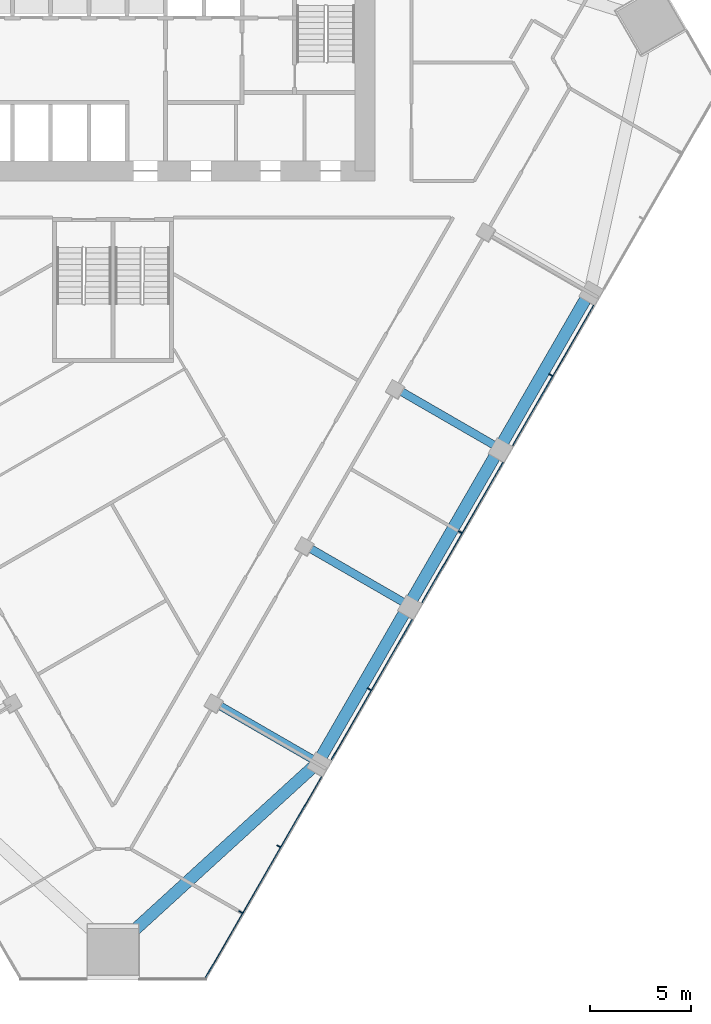
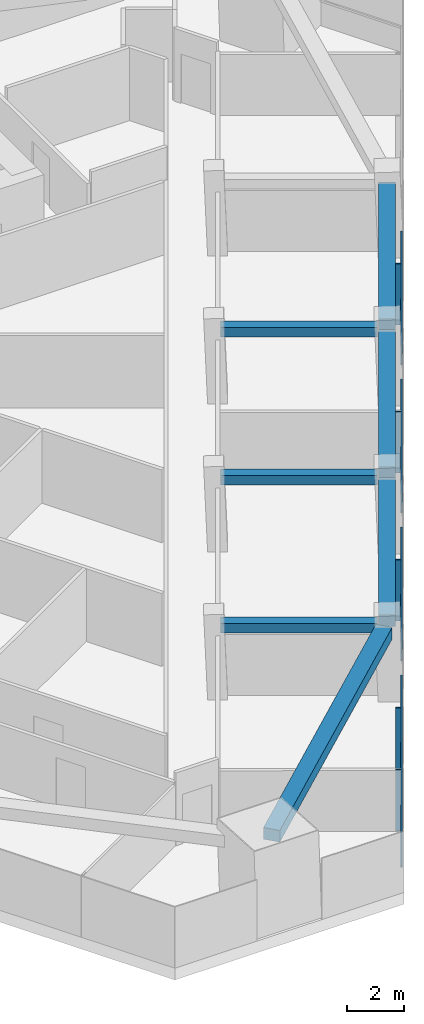
# One storey, part 4 of 14: 9 members, 7 beams, 1 element without a shape of its own.
"""IFC4 building model written with IfcOpenShell, lengths in metres."""

from ifc_helpers import new_model, si_unit, direction, frame, origin, origin_2d, place, context, subcontext, project, spatial, rectangle, extrude, material, layer, layer_set, material_profile, profile_set, type_object, element, aggregate, save


model = new_model("IFC4")

# Units and contexts
model_context = context("Model", 3, precision=1e-05, world=origin(), true_north=direction((0.0, 1.0)))
body_context = subcontext(model_context, "Body", "Model", "MODEL_VIEW")
ifc_project = project(units=[si_unit("LENGTHUNIT", "METRE"), si_unit("AREAUNIT", "SQUARE_METRE"), si_unit("VOLUMEUNIT", "CUBIC_METRE"), si_unit("PLANEANGLEUNIT", "RADIAN"), si_unit("MASSUNIT", "GRAM", prefix="KILO")], contexts=[model_context])

# Site, building, storey
site_placement = place(None, origin())
site = spatial("IfcSite", under=ifc_project, at=site_placement, CompositionType="ELEMENT")
building_placement = place(site_placement, origin())
building = spatial("IfcBuilding", under=site, at=building_placement, Name="Altiplano Prism Tower", CompositionType="ELEMENT")
storey_placement = place(building_placement, frame((0.0, 0.0, 63.0)))
storey = spatial("IfcBuildingStorey", under=building, at=storey_placement, Name="L15", CompositionType="ELEMENT", Elevation=63.0)

# Curtain wall, members
ifc_material_1 = material(Name="Aluminium and glass", Category="aluminium")
ifc_layer = layer(ifc_material_1, 0.303955078125)
ifc_layer_set = layer_set([ifc_layer], Name="Aluminium and glass")
curtain_wall_type = type_object("IfcCurtainWallType", Name="CW2 lounge-band unitised glazing", PredefinedType="NOTDEFINED", material=ifc_layer_set)
curtain_wall_placement = place(storey_placement, origin())
curtain_wall = element("IfcCurtainWall", 1, at=curtain_wall_placement, inside=storey, type_object=curtain_wall_type, Name="CW2 curtain wall south-east face L15", PredefinedType="NOTDEFINED")
ifc_material_2 = material(Name="Aluminium", Category="aluminium")
ifc_material_profile_1 = material_profile(ifc_material_2, rectangle(XDim=0.199951171875, YDim=0.06005859375, at=origin_2d()), Name="CW2 mullion 60 x 200")
ifc_profile_set_1 = profile_set([ifc_material_profile_1], Name="Aluminium")
member_type_1 = type_object("IfcMemberType", Name="CW2 mullion 60 x 200", PredefinedType="MULLION", material=ifc_profile_set_1)
member_1_placement = place(storey_placement, frame((91.32421875, 56.1328125, 0.0), z_axis=(0.0, 0.0, 1.0), x_axis=(-0.866025409928, 0.499999989359, 0.0)))
member_1 = element("IfcMember", 2, at=member_1_placement, type_object=member_type_1, Name="CW2 mullion", PredefinedType="MULLION", context=body_context, shape_type="SweptSolid", body=[
    extrude(rectangle(XDim=0.199951171875, YDim=0.06005859375, at=origin_2d()), origin(), (0.0, 0.0, 1.0), 2.60009765625),
])
member_2_placement = place(storey_placement, frame((93.2099609375, 59.39892578125, 0.0), z_axis=(0.0, 0.0, 1.0), x_axis=(-0.866025409928, 0.499999989359, 0.0)))
member_2 = element("IfcMember", 3, at=member_2_placement, type_object=member_type_1, Name="CW2 mullion", PredefinedType="MULLION", context=body_context, shape_type="SweptSolid", body=[
    extrude(rectangle(XDim=0.199951171875, YDim=0.06005859375, at=origin_2d()), origin(), (0.0, 0.0, 1.0), 2.60009765625),
])
member_3_placement = place(storey_placement, frame((97.7099609375, 67.193115234375, 0.0), z_axis=(0.0, 0.0, 1.0), x_axis=(-0.866025409928, 0.499999989359, 0.0)))
member_3 = element("IfcMember", 4, at=member_3_placement, type_object=member_type_1, Name="CW2 mullion", PredefinedType="MULLION", context=body_context, shape_type="SweptSolid", body=[
    extrude(rectangle(XDim=0.199951171875, YDim=0.06005859375, at=origin_2d()), origin(), (0.0, 0.0, 1.0), 2.60009765625),
])
member_4_placement = place(storey_placement, frame((102.2099609375, 74.987548828125, 0.0), z_axis=(0.0, 0.0, 1.0), x_axis=(-0.866025409928, 0.499999989359, 0.0)))
member_4 = element("IfcMember", 5, at=member_4_placement, type_object=member_type_1, Name="CW2 mullion", PredefinedType="MULLION", context=body_context, shape_type="SweptSolid", body=[
    extrude(rectangle(XDim=0.199951171875, YDim=0.06005859375, at=origin_2d()), origin(), (0.0, 0.0, 1.0), 2.60009765625),
])
member_5_placement = place(storey_placement, frame((106.7099609375, 82.78173828125, 0.0), z_axis=(0.0, 0.0, 1.0), x_axis=(-0.866025409928, 0.499999989359, 0.0)))
member_5 = element("IfcMember", 6, at=member_5_placement, type_object=member_type_1, Name="CW2 mullion", PredefinedType="MULLION", context=body_context, shape_type="SweptSolid", body=[
    extrude(rectangle(XDim=0.199951171875, YDim=0.06005859375, at=origin_2d()), origin(), (0.0, 0.0, 1.0), 2.60009765625),
])
ifc_material_profile_2 = material_profile(ifc_material_2, rectangle(XDim=0.06005859375, YDim=0.080078125, at=origin_2d()), Name="CW2 transom 80 x 60")
ifc_profile_set_2 = profile_set([ifc_material_profile_2], Name="Aluminium")
member_type_2 = type_object("IfcMemberType", Name="CW2 transom 80 x 60", PredefinedType="USERDEFINED", material=ifc_profile_set_2)
member_6_placement = place(storey_placement, frame((89.551025390625, 52.801513671875, 1.10009765625), z_axis=(0.499996518395, 0.86602741388, 0.0), x_axis=(-0.86602741388, 0.499996518395, 0.0)))
member_6 = element("IfcMember", 7, at=member_6_placement, type_object=member_type_2, Name="CW2 transom", ObjectType="TRANSOM", PredefinedType="USERDEFINED", context=body_context, shape_type="SweptSolid", body=[
    extrude(rectangle(XDim=0.06005859375, YDim=0.080078125, at=origin_2d()), origin(), (0.0, 0.0, 1.0), 11.59228515625),
])
member_7_placement = place(storey_placement, frame((95.83740234375, 63.689697265625, 1.10009765625), z_axis=(0.499989486807, 0.866031473494, 0.0), x_axis=(-0.866031473494, 0.499989486807, 0.0)))
member_7 = element("IfcMember", 8, at=member_7_placement, type_object=member_type_2, Name="CW2 transom", ObjectType="TRANSOM", PredefinedType="USERDEFINED", context=body_context, shape_type="SweptSolid", body=[
    extrude(rectangle(XDim=0.06005859375, YDim=0.080078125, at=origin_2d()), origin(), (0.0, 0.0, 1.0), 8.019775390625),
])
member_8_placement = place(storey_placement, frame((100.33740234375, 71.48388671875, 1.10009765625), z_axis=(0.499989486807, 0.866031473494, 0.0), x_axis=(-0.866031473494, 0.499989486807, 0.0)))
member_8 = element("IfcMember", 9, at=member_8_placement, type_object=member_type_2, Name="CW2 transom", ObjectType="TRANSOM", PredefinedType="USERDEFINED", context=body_context, shape_type="SweptSolid", body=[
    extrude(rectangle(XDim=0.06005859375, YDim=0.080078125, at=origin_2d()), origin(), (0.0, 0.0, 1.0), 8.019775390625),
])
member_9_placement = place(storey_placement, frame((104.83740234375, 79.278076171875, 1.10009765625), z_axis=(0.499989486807, 0.866031473494, 0.0), x_axis=(-0.866031473494, 0.499989486807, 0.0)))
member_9 = element("IfcMember", 10, at=member_9_placement, type_object=member_type_2, Name="CW2 transom", ObjectType="TRANSOM", PredefinedType="USERDEFINED", context=body_context, shape_type="SweptSolid", body=[
    extrude(rectangle(XDim=0.06005859375, YDim=0.080078125, at=origin_2d()), origin(), (0.0, 0.0, 1.0), 8.019775390625),
])
aggregate(curtain_wall, [member_1, member_2, member_6, member_3, member_7, member_4, member_8, member_5, member_9])

# Beams
ifc_material_3 = material(Name="Concrete C60/75", Category="concrete")
ifc_material_profile_3 = material_profile(ifc_material_3, rectangle(XDim=0.60009765625, YDim=0.5, at=origin_2d()), Name="Edge beam 600x500")
ifc_profile_set_3 = profile_set([ifc_material_profile_3], Name="Concrete C60/75")
beam_type_1 = type_object("IfcBeamType", Name="Edge beam 600x500", PredefinedType="SPANDREL", material=ifc_profile_set_3)
beam_placement = place(storey_placement, frame((85.332275390625, 54.578369140625, 2.85009765625), z_axis=(0.73849242427, 0.674261773569, 0.0), x_axis=(-0.674261773569, 0.73849242427, 0.0)))
element("IfcBeam", 11, at=beam_placement, inside=storey, type_object=beam_type_1, Name="Edge beam M1-P21 L16", PredefinedType="SPANDREL", context=body_context, shape_type="SweptSolid", body=[
    extrude(rectangle(XDim=0.60009765625, YDim=0.5, at=origin_2d()), origin(), (0.0, 0.0, 1.0), 12.965087890625),
])
for number, where, z_axis, x_axis, name in (
    (12, (95.33203125, 63.843505859375, 2.85009765625), (0.499992746786, 0.866029591389, 0.0), (-0.866029591389, 0.499992746786, 0.0), "Edge beam P21-P22 L16"),
    (13, (99.83203125, 71.6376953125, 2.85009765625), (0.499992746786, 0.866029591389, 0.0), (-0.866029591389, 0.499992746786, 0.0), "Edge beam P22-P23 L16"),
    (14, (104.33203125, 79.431884765625, 2.85009765625), (0.499992746786, 0.866029591389, 0.0), (-0.866029591389, 0.499992746786, 0.0), "Edge beam P23-P24 L16"),
):
    element("IfcBeam", number, at=place(storey_placement, frame(where, z_axis=z_axis, x_axis=x_axis)), inside=storey, type_object=beam_type_1, Name=name, PredefinedType="SPANDREL", context=body_context, shape_type="SweptSolid", body=[
        extrude(rectangle(XDim=0.60009765625, YDim=0.5, at=origin_2d()), origin(), (0.0, 0.0, 1.0), 8.33984375),
    ])
ifc_material_profile_4 = material_profile(ifc_material_3, rectangle(XDim=0.39990234375, YDim=0.39990234375, at=origin_2d()), Name="Tie beam 400x400")
ifc_profile_set_4 = profile_set([ifc_material_profile_4], Name="Concrete C60/75")
beam_type_2 = type_object("IfcBeamType", Name="Tie beam 400x400", PredefinedType="BEAM", material=ifc_profile_set_4)
for number, where, z_axis, x_axis, name in (
    (15, (90.126708984375, 66.4677734375, 2.89990234375), (0.866012292785, -0.50002270823, 0.0), (0.50002270823, 0.866012292785, 0.0), "Tie beam I21 L16"),
    (16, (94.626708984375, 74.261962890625, 2.89990234375), (0.866012292785, -0.50002270823, 0.0), (0.50002270823, 0.866012292785, 0.0), "Tie beam I22 L16"),
    (17, (99.126708984375, 82.05615234375, 2.89990234375), (0.866012292785, -0.50002270823, 0.0), (0.50002270823, 0.866012292785, 0.0), "Tie beam I23 L16"),
):
    element("IfcBeam", number, at=place(storey_placement, frame(where, z_axis=z_axis, x_axis=x_axis)), inside=storey, type_object=beam_type_2, Name=name, PredefinedType="BEAM", context=body_context, shape_type="SweptSolid", body=[
        extrude(rectangle(XDim=0.39990234375, YDim=0.39990234375, at=origin_2d()), origin(), (0.0, 0.0, 1.0), 5.489990234375),
    ])

save(model, "model.ifc")
